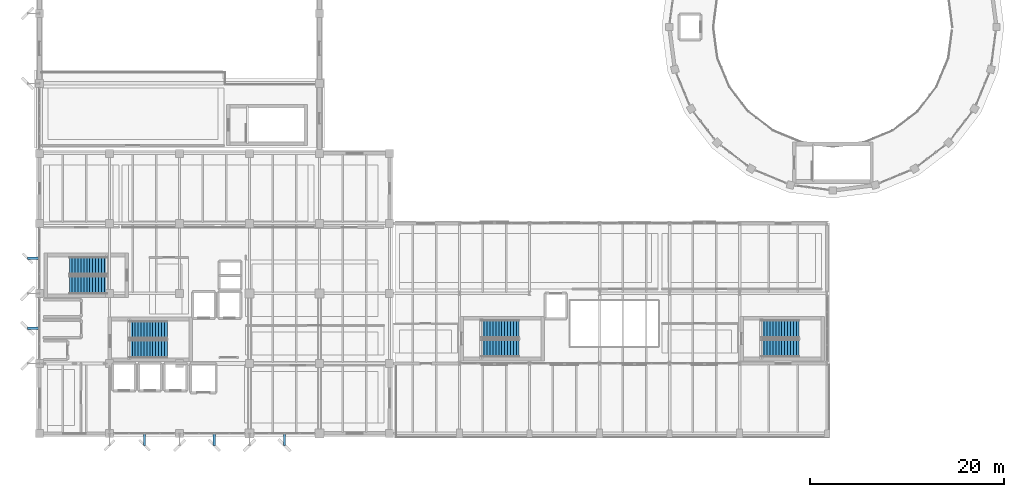
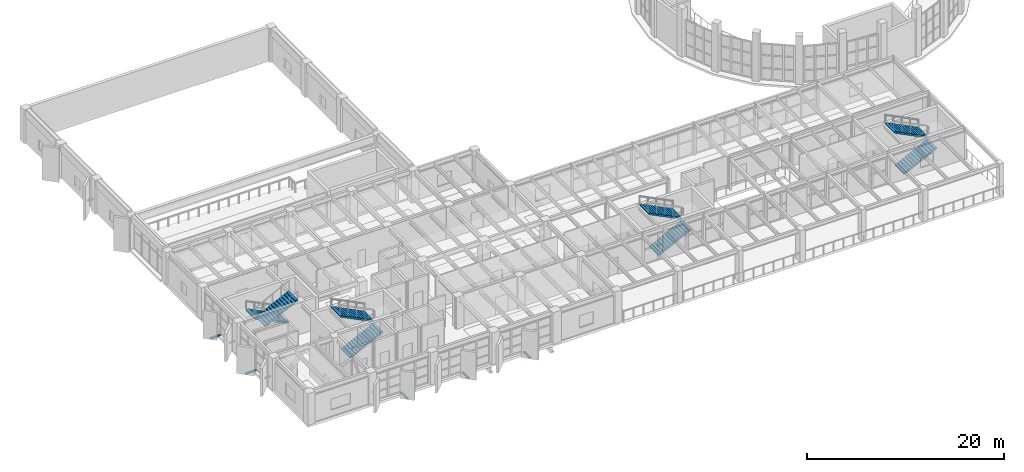
# One storey, part 44 of 59: 8 stair flights, 5 discrete accessories, 4 elements without a shape of their own.
"""IFC4 building model written with IfcOpenShell, lengths in metres."""

from ifc_helpers import new_model, si_unit, direction, frame, origin, origin_2d, place, context, subcontext, project, spatial, polyline, rectangle, outline, extrude, material, layer, layer_set, type_object, element, aggregate, save


model = new_model("IFC4")

# Units and contexts
model_context = context("Model", 3, precision=1e-05, world=origin(), true_north=direction((0.0, 1.0)))
body_context = subcontext(model_context, "Body", "Model", "MODEL_VIEW")
ifc_project = project(units=[si_unit("LENGTHUNIT", "METRE"), si_unit("AREAUNIT", "SQUARE_METRE"), si_unit("VOLUMEUNIT", "CUBIC_METRE"), si_unit("PLANEANGLEUNIT", "RADIAN"), si_unit("MASSUNIT", "GRAM", prefix="KILO")], contexts=[model_context])

# Site, building, storey
site_placement = place(None, origin())
site = spatial("IfcSite", under=ifc_project, at=site_placement, CompositionType="ELEMENT")
building_placement = place(site_placement, origin())
building = spatial("IfcBuilding", under=site, at=building_placement, Name="Kandorven Conservatory and Botanical Research Centre", CompositionType="ELEMENT")
storey_placement = place(building_placement, frame((0.0, 0.0, 4.800048828125)))
storey = spatial("IfcBuildingStorey", under=building, at=storey_placement, Name="L01", CompositionType="ELEMENT", Elevation=4.800048828125)

# Stair, stair flights
ifc_material_1 = material(Name="Concrete C32/40 (M40)", Category="concrete")
stair_type = type_object("IfcStairType", Name="Stair_1820", PredefinedType="HALF_TURN_STAIR", material=ifc_material_1)
stair_1_placement = place(storey_placement, origin())
stair_1 = element("IfcStair", 1, at=stair_1_placement, inside=storey, type_object=stair_type, Name="L01 Tower Fire Stair ST-T1", PredefinedType="HALF_TURN_STAIR")
ifc_material_2 = material(Name="Concrete C32/40 (M40)", Category="concrete")
ifc_layer = layer(ifc_material_2, 0.14990234375)
ifc_layer_set = layer_set([ifc_layer], Name="Concrete C32/40 (M40)")
stair_flight_type = type_object("IfcStairFlightType", Name="Flight_1820", PredefinedType="STRAIGHT", material=ifc_layer_set)
stair_flight_1_placement = place(storey_placement, frame((15.239990234375, 14.68994140625, 0.0), z_axis=(0.0, 0.0, 1.0), x_axis=(1.0, 0.0, 0.0)))
stair_flight_1 = element("IfcStairFlight", 2, at=stair_flight_1_placement, type_object=stair_flight_type, Name="ST-T1 flight 1", NumberOfRisers=14, NumberOfTreads=13, PredefinedType="STRAIGHT", RiserHeight=0.15, TreadLength=0.3, context=body_context, shape_type="SweptSolid", body=[
    extrude(outline(polyline([(0.0, 0.0), (0.0, 0.14990234375), (0.300048828125, 0.14990234375), (0.300048828125, 0.300048828125), (0.60009765625, 0.300048828125), (0.60009765625, 0.449951171875), (0.89990234375, 0.449951171875), (0.89990234375, 0.60009765625), (1.199951171875, 0.60009765625), (1.199951171875, 0.75), (1.5, 0.75), (1.5, 0.89990234375), (1.800048828125, 0.89990234375), (1.800048828125, 1.050048828125), (2.10009765625, 1.050048828125), (2.10009765625, 1.199951171875), (2.39990234375, 1.199951171875), (2.39990234375, 1.35009765625), (2.699951171875, 1.35009765625), (2.699951171875, 1.5), (3.0, 1.5), (3.0, 1.64990234375), (3.300048828125, 1.64990234375), (3.300048828125, 1.800048828125), (3.60009765625, 1.800048828125), (3.60009765625, 1.949951171875), (3.89990234375, 1.949951171875), (3.89990234375, 2.10009765625), (3.89990234375, 1.782470703125), (0.335205078125, 0.0), (0.0, 0.0)])), frame((0.0, 0.91015625, 0.0), z_axis=(0.0, -1.0, 0.0), x_axis=(1.0, 0.0, 0.0)), (0.0, 0.0, 1.0), 1.820068359375),
])
stair_flight_2_placement = place(storey_placement, frame((19.139404296875, 16.659912109375, 2.099853515625), z_axis=(0.0, 0.0, 1.0), x_axis=(-1.0, 0.0, 0.0)))
stair_flight_2 = element("IfcStairFlight", 3, at=stair_flight_2_placement, type_object=stair_flight_type, Name="ST-T1 flight 2", NumberOfRisers=14, NumberOfTreads=13, PredefinedType="STRAIGHT", RiserHeight=0.15, TreadLength=0.3, context=body_context, shape_type="SweptSolid", body=[
    extrude(outline(polyline([(0.0, 0.0), (0.0, 0.14990234375), (0.300048828125, 0.14990234375), (0.300048828125, 0.300048828125), (0.60009765625, 0.300048828125), (0.60009765625, 0.449951171875), (0.89990234375, 0.449951171875), (0.89990234375, 0.60009765625), (1.199951171875, 0.60009765625), (1.199951171875, 0.75), (1.5, 0.75), (1.5, 0.89990234375), (1.800048828125, 0.89990234375), (1.800048828125, 1.050048828125), (2.10009765625, 1.050048828125), (2.10009765625, 1.199951171875), (2.39990234375, 1.199951171875), (2.39990234375, 1.35009765625), (2.699951171875, 1.35009765625), (2.699951171875, 1.5), (3.0, 1.5), (3.0, 1.64990234375), (3.300048828125, 1.64990234375), (3.300048828125, 1.800048828125), (3.60009765625, 1.800048828125), (3.60009765625, 1.949951171875), (3.89990234375, 1.949951171875), (3.89990234375, 2.10009765625), (3.89990234375, 1.782470703125), (0.335205078125, 0.0), (0.0, 0.0)])), frame((0.0, 0.91015625, 0.0), z_axis=(0.0, -1.0, 0.0), x_axis=(1.0, 0.0, 0.0)), (0.0, 0.0, 1.0), 1.820068359375),
])
aggregate(stair_1, [stair_flight_1, stair_flight_2])

stair_2_placement = place(storey_placement, origin())
stair_2 = element("IfcStair", 4, at=stair_2_placement, inside=storey, type_object=stair_type, Name="L01 Tower Fire Stair ST-T2", PredefinedType="HALF_TURN_STAIR")
stair_flight_3_placement = place(storey_placement, frame((12.9599609375, 23.239990234375, 0.0), z_axis=(0.0, 0.0, 1.0), x_axis=(-1.0, 0.0, 0.0)))
stair_flight_3 = element("IfcStairFlight", 5, at=stair_flight_3_placement, type_object=stair_flight_type, Name="ST-T2 flight 1", NumberOfRisers=14, NumberOfTreads=13, PredefinedType="STRAIGHT", RiserHeight=0.15, TreadLength=0.3, context=body_context, shape_type="SweptSolid", body=[
    extrude(outline(polyline([(0.0, 0.0), (0.0, 0.14990234375), (0.300048828125, 0.14990234375), (0.300048828125, 0.300048828125), (0.60009765625, 0.300048828125), (0.60009765625, 0.449951171875), (0.89990234375, 0.449951171875), (0.89990234375, 0.60009765625), (1.199951171875, 0.60009765625), (1.199951171875, 0.75), (1.5, 0.75), (1.5, 0.89990234375), (1.800048828125, 0.89990234375), (1.800048828125, 1.050048828125), (2.10009765625, 1.050048828125), (2.10009765625, 1.199951171875), (2.39990234375, 1.199951171875), (2.39990234375, 1.35009765625), (2.699951171875, 1.35009765625), (2.699951171875, 1.5), (3.0, 1.5), (3.0, 1.64990234375), (3.300048828125, 1.64990234375), (3.300048828125, 1.800048828125), (3.60009765625, 1.800048828125), (3.60009765625, 1.949951171875), (3.89990234375, 1.949951171875), (3.89990234375, 2.10009765625), (3.89990234375, 1.782470703125), (0.335205078125, 0.0), (0.0, 0.0)])), frame((0.0, 0.91015625, 0.0), z_axis=(0.0, -1.0, 0.0), x_axis=(1.0, 0.0, 0.0)), (0.0, 0.0, 1.0), 1.820068359375),
])
stair_flight_4_placement = place(storey_placement, frame((9.060546875, 21.27001953125, 2.099853515625), z_axis=(0.0, 0.0, 1.0), x_axis=(1.0, 0.0, 0.0)))
stair_flight_4 = element("IfcStairFlight", 6, at=stair_flight_4_placement, type_object=stair_flight_type, Name="ST-T2 flight 2", NumberOfRisers=14, NumberOfTreads=13, PredefinedType="STRAIGHT", RiserHeight=0.15, TreadLength=0.3, context=body_context, shape_type="SweptSolid", body=[
    extrude(outline(polyline([(0.0, 0.0), (0.0, 0.14990234375), (0.300048828125, 0.14990234375), (0.300048828125, 0.300048828125), (0.60009765625, 0.300048828125), (0.60009765625, 0.449951171875), (0.89990234375, 0.449951171875), (0.89990234375, 0.60009765625), (1.199951171875, 0.60009765625), (1.199951171875, 0.75), (1.5, 0.75), (1.5, 0.89990234375), (1.800048828125, 0.89990234375), (1.800048828125, 1.050048828125), (2.10009765625, 1.050048828125), (2.10009765625, 1.199951171875), (2.39990234375, 1.199951171875), (2.39990234375, 1.35009765625), (2.699951171875, 1.35009765625), (2.699951171875, 1.5), (3.0, 1.5), (3.0, 1.64990234375), (3.300048828125, 1.64990234375), (3.300048828125, 1.800048828125), (3.60009765625, 1.800048828125), (3.60009765625, 1.949951171875), (3.89990234375, 1.949951171875), (3.89990234375, 2.10009765625), (3.89990234375, 1.782470703125), (0.335205078125, 0.0), (0.0, 0.0)])), frame((0.0, 0.91015625, 0.0), z_axis=(0.0, -1.0, 0.0), x_axis=(1.0, 0.0, 0.0)), (0.0, 0.0, 1.0), 1.820068359375),
])
aggregate(stair_2, [stair_flight_3, stair_flight_4])

stair_3_placement = place(storey_placement, origin())
stair_3 = element("IfcStair", 7, at=stair_3_placement, inside=storey, type_object=stair_type, Name="L01 Visitor Wing Stair ST-V3A", PredefinedType="HALF_TURN_STAIR")
stair_flight_5_placement = place(storey_placement, frame((51.43994140625, 14.760009765625, 0.0), z_axis=(0.0, 0.0, 1.0), x_axis=(1.0, 0.0, 0.0)))
stair_flight_5 = element("IfcStairFlight", 8, at=stair_flight_5_placement, type_object=stair_flight_type, Name="ST-V3A flight 1", NumberOfRisers=14, NumberOfTreads=13, PredefinedType="STRAIGHT", RiserHeight=0.15, TreadLength=0.3, context=body_context, shape_type="SweptSolid", body=[
    extrude(outline(polyline([(0.0, 0.0), (0.0, 0.14990234375), (0.300048828125, 0.14990234375), (0.300048828125, 0.300048828125), (0.60009765625, 0.300048828125), (0.60009765625, 0.449951171875), (0.89990234375, 0.449951171875), (0.89990234375, 0.60009765625), (1.199951171875, 0.60009765625), (1.199951171875, 0.75), (1.5, 0.75), (1.5, 0.89990234375), (1.800048828125, 0.89990234375), (1.800048828125, 1.050048828125), (2.10009765625, 1.050048828125), (2.10009765625, 1.199951171875), (2.39990234375, 1.199951171875), (2.39990234375, 1.35009765625), (2.699951171875, 1.35009765625), (2.699951171875, 1.5), (3.0, 1.5), (3.0, 1.64990234375), (3.300048828125, 1.64990234375), (3.300048828125, 1.800048828125), (3.60009765625, 1.800048828125), (3.60009765625, 1.949951171875), (3.89990234375, 1.949951171875), (3.89990234375, 2.10009765625), (3.89990234375, 1.782470703125), (0.335205078125, 0.0), (0.0, 0.0)])), frame((0.0, 0.91015625, 0.0), z_axis=(0.0, -1.0, 0.0), x_axis=(1.0, 0.0, 0.0)), (0.0, 0.0, 1.0), 1.820068359375),
])
stair_flight_6_placement = place(storey_placement, frame((55.339599609375, 16.72998046875, 2.099853515625), z_axis=(0.0, 0.0, 1.0), x_axis=(-1.0, 0.0, 0.0)))
stair_flight_6 = element("IfcStairFlight", 9, at=stair_flight_6_placement, type_object=stair_flight_type, Name="ST-V3A flight 2", NumberOfRisers=14, NumberOfTreads=13, PredefinedType="STRAIGHT", RiserHeight=0.15, TreadLength=0.3, context=body_context, shape_type="SweptSolid", body=[
    extrude(outline(polyline([(0.0, 0.0), (0.0, 0.14990234375), (0.300048828125, 0.14990234375), (0.300048828125, 0.300048828125), (0.60009765625, 0.300048828125), (0.60009765625, 0.449951171875), (0.89990234375, 0.449951171875), (0.89990234375, 0.60009765625), (1.199951171875, 0.60009765625), (1.199951171875, 0.75), (1.5, 0.75), (1.5, 0.89990234375), (1.800048828125, 0.89990234375), (1.800048828125, 1.050048828125), (2.10009765625, 1.050048828125), (2.10009765625, 1.199951171875), (2.39990234375, 1.199951171875), (2.39990234375, 1.35009765625), (2.699951171875, 1.35009765625), (2.699951171875, 1.5), (3.0, 1.5), (3.0, 1.64990234375), (3.300048828125, 1.64990234375), (3.300048828125, 1.800048828125), (3.60009765625, 1.800048828125), (3.60009765625, 1.949951171875), (3.89990234375, 1.949951171875), (3.89990234375, 2.10009765625), (3.89990234375, 1.782470703125), (0.335205078125, 0.0), (0.0, 0.0)])), frame((0.0, 0.91015625, 0.0), z_axis=(0.0, -1.0, 0.0), x_axis=(1.0, 0.0, 0.0)), (0.0, 0.0, 1.0), 1.820068359375),
])
aggregate(stair_3, [stair_flight_5, stair_flight_6])

stair_4_placement = place(storey_placement, origin())
stair_4 = element("IfcStair", 10, at=stair_4_placement, inside=storey, type_object=stair_type, Name="L01 Visitor Wing Stair ST-V3B", PredefinedType="HALF_TURN_STAIR")
stair_flight_7_placement = place(storey_placement, frame((80.239990234375, 14.760009765625, 0.0), z_axis=(0.0, 0.0, 1.0), x_axis=(1.0, 0.0, 0.0)))
stair_flight_7 = element("IfcStairFlight", 11, at=stair_flight_7_placement, type_object=stair_flight_type, Name="ST-V3B flight 1", NumberOfRisers=14, NumberOfTreads=13, PredefinedType="STRAIGHT", RiserHeight=0.15, TreadLength=0.3, context=body_context, shape_type="SweptSolid", body=[
    extrude(outline(polyline([(0.0, 0.0), (0.0, 0.14990234375), (0.300048828125, 0.14990234375), (0.300048828125, 0.300048828125), (0.60009765625, 0.300048828125), (0.60009765625, 0.449951171875), (0.89990234375, 0.449951171875), (0.89990234375, 0.60009765625), (1.199951171875, 0.60009765625), (1.199951171875, 0.75), (1.5, 0.75), (1.5, 0.89990234375), (1.800048828125, 0.89990234375), (1.800048828125, 1.050048828125), (2.10009765625, 1.050048828125), (2.10009765625, 1.199951171875), (2.39990234375, 1.199951171875), (2.39990234375, 1.35009765625), (2.699951171875, 1.35009765625), (2.699951171875, 1.5), (3.0, 1.5), (3.0, 1.64990234375), (3.300048828125, 1.64990234375), (3.300048828125, 1.800048828125), (3.60009765625, 1.800048828125), (3.60009765625, 1.949951171875), (3.89990234375, 1.949951171875), (3.89990234375, 2.10009765625), (3.89990234375, 1.782470703125), (0.335205078125, 0.0), (0.0, 0.0)])), frame((0.0, 0.91015625, 0.0), z_axis=(0.0, -1.0, 0.0), x_axis=(1.0, 0.0, 0.0)), (0.0, 0.0, 1.0), 1.820068359375),
])
stair_flight_8_placement = place(storey_placement, frame((84.139404296875, 16.72998046875, 2.099853515625), z_axis=(0.0, 0.0, 1.0), x_axis=(-1.0, 0.0, 0.0)))
stair_flight_8 = element("IfcStairFlight", 12, at=stair_flight_8_placement, type_object=stair_flight_type, Name="ST-V3B flight 2", NumberOfRisers=14, NumberOfTreads=13, PredefinedType="STRAIGHT", RiserHeight=0.15, TreadLength=0.3, context=body_context, shape_type="SweptSolid", body=[
    extrude(outline(polyline([(0.0, 0.0), (0.0, 0.14990234375), (0.300048828125, 0.14990234375), (0.300048828125, 0.300048828125), (0.60009765625, 0.300048828125), (0.60009765625, 0.449951171875), (0.89990234375, 0.449951171875), (0.89990234375, 0.60009765625), (1.199951171875, 0.60009765625), (1.199951171875, 0.75), (1.5, 0.75), (1.5, 0.89990234375), (1.800048828125, 0.89990234375), (1.800048828125, 1.050048828125), (2.10009765625, 1.050048828125), (2.10009765625, 1.199951171875), (2.39990234375, 1.199951171875), (2.39990234375, 1.35009765625), (2.699951171875, 1.35009765625), (2.699951171875, 1.5), (3.0, 1.5), (3.0, 1.64990234375), (3.300048828125, 1.64990234375), (3.300048828125, 1.800048828125), (3.60009765625, 1.800048828125), (3.60009765625, 1.949951171875), (3.89990234375, 1.949951171875), (3.89990234375, 2.10009765625), (3.89990234375, 1.782470703125), (0.335205078125, 0.0), (0.0, 0.0)])), frame((0.0, 0.91015625, 0.0), z_axis=(0.0, -1.0, 0.0), x_axis=(1.0, 0.0, 0.0)), (0.0, 0.0, 1.0), 1.820068359375),
])
aggregate(stair_4, [stair_flight_7, stair_flight_8])

# Discrete accessories
ifc_material_3 = material(Name="Steel S355 (IS 2062 E350)", Category="steel")
discrete_accessory_type = type_object("IfcDiscreteAccessoryType", Name="JaliBracket", PredefinedType="BRACKET", material=ifc_material_3)
for number, where, z_axis, x_axis, name in (
    (13, (16.800048828125, 5.389892578125, -0.1298828125), (0.0, 0.0, 1.0), (1.0, 0.0, 0.0), "Stainless steel fin support bracket BRK-01 #2"),
    (14, (23.97509765625, 5.389892578125, -0.1298828125), (0.0, 0.0, 1.0), (1.0, 0.0, 0.0), "Stainless steel fin support bracket BRK-01 #4"),
    (15, (31.199951171875, 5.389892578125, -0.1298828125), (0.0, 0.0, 1.0), (1.0, 0.0, 0.0), "Stainless steel fin support bracket BRK-01 #6"),
):
    element("IfcDiscreteAccessory", number, at=place(storey_placement, frame(where, z_axis=z_axis, x_axis=x_axis)), inside=storey, type_object=discrete_accessory_type, Name=name, PredefinedType="BRACKET", context=body_context, shape_type="SweptSolid", body=[
        extrude(rectangle(XDim=0.239990234375, YDim=1.280029296875, at=origin_2d()), origin(), (0.0, 0.0, 1.0), 0.139892578125),
    ])
for number, where, z_axis, x_axis, name in (
    (16, (5.389892578125, 16.800048828125, -0.1298828125), (0.0, 0.0, 1.0), (1.0, 0.0, 0.0), "Stainless steel fin support bracket BRK-01 #8"),
    (17, (5.389892578125, 24.0, -0.1298828125), (0.0, 0.0, 1.0), (1.0, 0.0, 0.0), "Stainless steel fin support bracket BRK-01 #10"),
):
    element("IfcDiscreteAccessory", number, at=place(storey_placement, frame(where, z_axis=z_axis, x_axis=x_axis)), inside=storey, type_object=discrete_accessory_type, Name=name, PredefinedType="BRACKET", context=body_context, shape_type="SweptSolid", body=[
        extrude(rectangle(XDim=1.280029296875, YDim=0.239990234375, at=origin_2d()), origin(), (0.0, 0.0, 1.0), 0.139892578125),
    ])

save(model, "model.ifc")
